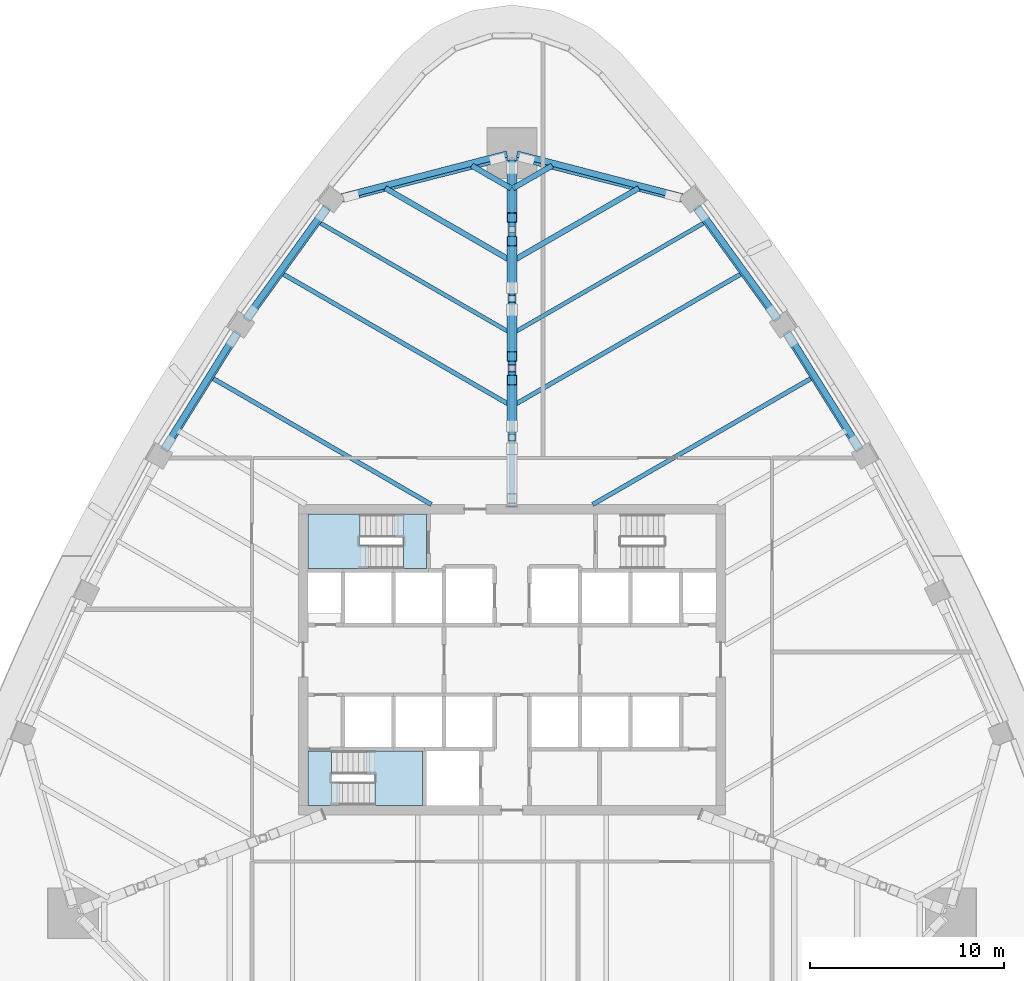
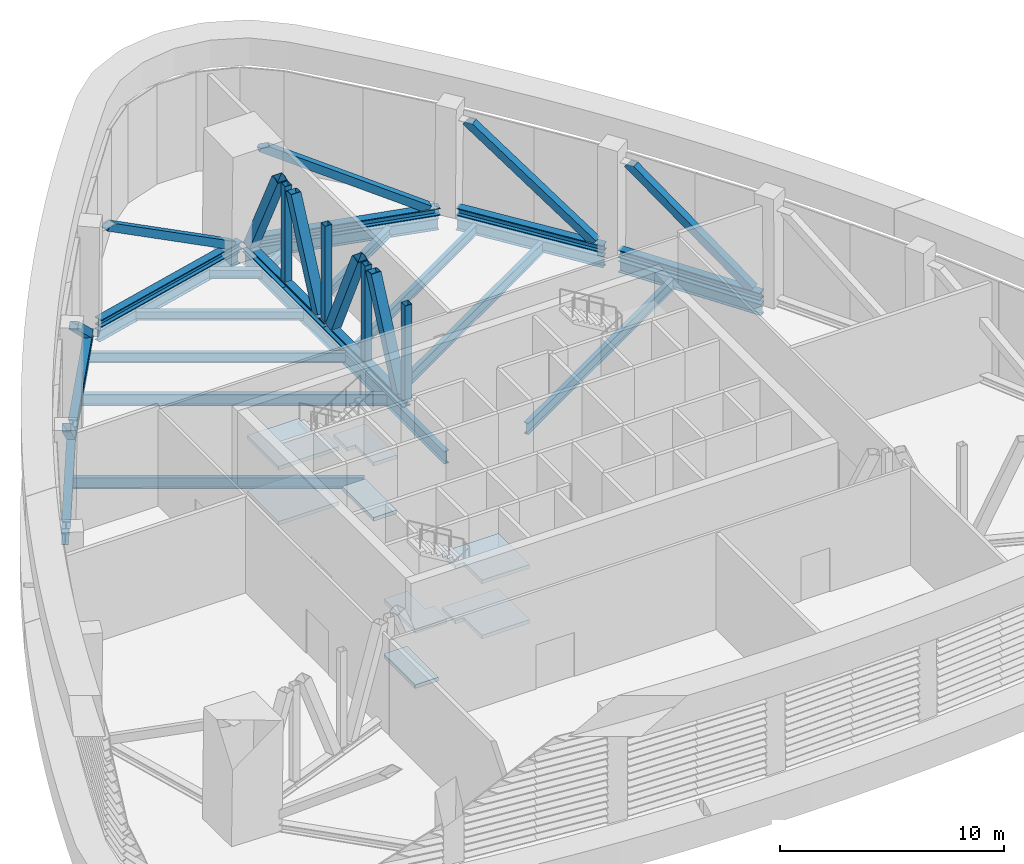
# One storey, part 4 of 18: 27 beams, 14 members, 8 slabs, 2 elements without a shape of their own.
"""IFC4 building model written with IfcOpenShell, lengths in metres."""

from ifc_helpers import new_model, si_unit, direction, frame, origin, origin_2d, place, context, subcontext, project, spatial, polyline, hollow_rectangle, i_section, outline, extrude, clip, halfspace, material, layer, layer_set, material_profile, profile_set, type_object, element, aggregate, save


model = new_model("IFC4")

# Units and contexts
model_context = context("Model", 3, precision=1e-05, world=origin(), true_north=direction((0.0, 1.0)))
body_context = subcontext(model_context, "Body", "Model", "MODEL_VIEW")
ifc_project = project(units=[si_unit("LENGTHUNIT", "METRE"), si_unit("AREAUNIT", "SQUARE_METRE"), si_unit("VOLUMEUNIT", "CUBIC_METRE"), si_unit("PLANEANGLEUNIT", "RADIAN"), si_unit("MASSUNIT", "GRAM", prefix="KILO")], contexts=[model_context])

# Site, building, storey
site_placement = place(None, origin())
site = spatial("IfcSite", under=ifc_project, at=site_placement, CompositionType="ELEMENT")
building_placement = place(site_placement, origin())
building = spatial("IfcBuilding", under=site, at=building_placement, Name="Sierra Prisma Convention Tower", CompositionType="ELEMENT")
storey_placement = place(building_placement, frame((0.0, 0.0, 213.800048828125)))
storey = spatial("IfcBuildingStorey", under=building, at=storey_placement, Name="L48", CompositionType="ELEMENT", Elevation=213.800048828125)

# Beams
ifc_material_1 = material(Name="Steel ASTM A992 Gr 50", Category="steel")
ifc_material_profile_1 = material_profile(ifc_material_1, i_section(OverallWidth=0.280029296875, OverallDepth=0.462890625, WebThickness=0.0107421875, FlangeThickness=0.017333984375, at=origin_2d()), Name="W460x113")
ifc_profile_set_1 = profile_set([ifc_material_profile_1], Name="Steel ASTM A992 Gr 50")
beam_type_1 = type_object("IfcBeamType", Name="Plant floor joist W460x113", PredefinedType="JOIST", material=ifc_profile_set_1)
beam_1_placement = place(storey_placement, frame((6.53369140625, 24.301513671875, -0.4814453125), z_axis=(-0.866024825454, -0.500001001696, 0.0), x_axis=(0.500001001696, -0.866024825454, 0.0)))
element("IfcBeam", 1, at=beam_1_placement, inside=storey, type_object=beam_type_1, Name="Floor joist L48 NE13", PredefinedType="JOIST", context=body_context, shape_type="SweptSolid", body=[
    extrude(i_section(OverallWidth=0.280029296875, OverallDepth=0.462890625, WebThickness=0.0107421875, FlangeThickness=0.017333984375, at=origin_2d()), origin(), (0.0, 0.0, 1.0), 7.48583984375),
])
for number, where, z_axis, x_axis, name in (
    (2, (2.072998046875, 25.458740234375, -0.4814453125), (-0.865988834727, -0.500063334118, 0.0), (0.500063334118, -0.865988834727, 0.0), "Floor joist L48 NE14"),
    (3, (-2.072998046875, 25.458740234375, -0.4814453125), (0.865988834727, -0.500063334118, 0.0), (0.500063334118, 0.865988834727, 0.0), "Floor joist L48 NW01"),
):
    element("IfcBeam", number, at=place(storey_placement, frame(where, z_axis=z_axis, x_axis=x_axis)), inside=storey, type_object=beam_type_1, Name=name, PredefinedType="JOIST", context=body_context, shape_type="SweptSolid", body=[
        extrude(i_section(OverallWidth=0.280029296875, OverallDepth=0.462890625, WebThickness=0.0107421875, FlangeThickness=0.017333984375, at=origin_2d()), origin(), (0.0, 0.0, 1.0), 2.335205078125),
    ])
beam_2_placement = place(storey_placement, frame((-6.53369140625, 24.301513671875, -0.4814453125), z_axis=(0.866024825454, -0.500001001696, 0.0), x_axis=(0.500001001696, 0.866024825454, 0.0)))
element("IfcBeam", 4, at=beam_2_placement, inside=storey, type_object=beam_type_1, Name="Floor joist L48 NW02", PredefinedType="JOIST", context=body_context, shape_type="SweptSolid", body=[
    extrude(i_section(OverallWidth=0.280029296875, OverallDepth=0.462890625, WebThickness=0.0107421875, FlangeThickness=0.017333984375, at=origin_2d()), origin(), (0.0, 0.0, 1.0), 7.48583984375),
])
ifc_material_2 = material(Name="Steel ASTM A992 Gr 50", Category="steel")
ifc_material_profile_2 = material_profile(ifc_material_2, i_section(OverallWidth=0.2119140625, OverallDepth=0.5439453125, WebThickness=0.01318359375, FlangeThickness=0.021240234375, at=origin_2d()), Name="W530x123")
ifc_profile_set_2 = profile_set([ifc_material_profile_2], Name="Steel ASTM A992 Gr 50")
beam_type_2 = type_object("IfcBeamType", Name="Plant floor joist W530x123", PredefinedType="JOIST", material=ifc_profile_set_2)
for number, where, z_axis, x_axis, name in (
    (5, (9.980224609375, 22.55859375, -0.52197265625), (-0.866029209911, -0.499993407537, 0.0), (0.499993407537, -0.866029209911, 0.0), "Floor joist L48 NE12"),
    (6, (-9.980224609375, 22.55859375, -0.52197265625), (0.866029209911, -0.499993407537, 0.0), (0.499993407537, 0.866029209911, 0.0), "Floor joist L48 NW03"),
):
    element("IfcBeam", number, at=place(storey_placement, frame(where, z_axis=z_axis, x_axis=x_axis)), inside=storey, type_object=beam_type_2, Name=name, PredefinedType="JOIST", context=body_context, shape_type="SweptSolid", body=[
        extrude(i_section(OverallWidth=0.2119140625, OverallDepth=0.5439453125, WebThickness=0.01318359375, FlangeThickness=0.021240234375, at=origin_2d()), origin(), (0.0, 0.0, 1.0), 11.465576171875),
    ])
ifc_material_3 = material(Name="Steel ASTM A992 Gr 50", Category="steel")
ifc_material_profile_3 = material_profile(ifc_material_3, i_section(OverallWidth=0.22900390625, OverallDepth=0.612060546875, WebThickness=0.011962890625, FlangeThickness=0.01953125, at=origin_2d()), Name="W610x125")
ifc_profile_set_3 = profile_set([ifc_material_profile_3], Name="Steel ASTM A992 Gr 50")
beam_type_3 = type_object("IfcBeamType", Name="Plant floor joist W610x125", PredefinedType="JOIST", material=ifc_profile_set_3)
beam_3_placement = place(storey_placement, frame((15.50439453125, 14.55029296875, -0.55615234375), z_axis=(-0.866025761746, -0.499999379993, 0.0), x_axis=(0.499999379993, -0.866025761746, 0.0)))
element("IfcBeam", 7, at=beam_3_placement, inside=storey, type_object=beam_type_3, Name="Floor joist L48 NE09", PredefinedType="JOIST", context=body_context, shape_type="SweptSolid", body=[
    extrude(i_section(OverallWidth=0.22900390625, OverallDepth=0.612060546875, WebThickness=0.011962890625, FlangeThickness=0.01953125, at=origin_2d()), origin(), (0.0, 0.0, 1.0), 13.1005859375),
])
for number, where, z_axis, x_axis, name in (
    (8, (11.883056640625, 19.9248046875, -0.55615234375), (-0.866019838897, -0.500009638544, 0.0), (0.500009638544, -0.866019838897, 0.0), "Floor joist L48 NE11"),
    (9, (-11.883056640625, 19.9248046875, -0.55615234375), (0.866019838897, -0.500009638544, 0.0), (0.500009638544, 0.866019838897, 0.0), "Floor joist L48 NW04"),
):
    element("IfcBeam", number, at=place(storey_placement, frame(where, z_axis=z_axis, x_axis=x_axis)), inside=storey, type_object=beam_type_3, Name=name, PredefinedType="JOIST", context=body_context, shape_type="SweptSolid", body=[
        extrude(i_section(OverallWidth=0.22900390625, OverallDepth=0.612060546875, WebThickness=0.011962890625, FlangeThickness=0.01953125, at=origin_2d()), origin(), (0.0, 0.0, 1.0), 13.662841796875),
    ])
beam_4_placement = place(storey_placement, frame((-15.50439453125, 14.55029296875, -0.55615234375), z_axis=(0.866025761746, -0.499999379993, 0.0), x_axis=(0.499999379993, 0.866025761746, 0.0)))
element("IfcBeam", 10, at=beam_4_placement, inside=storey, type_object=beam_type_3, Name="Floor joist L48 NW06", PredefinedType="JOIST", context=body_context, shape_type="SweptSolid", body=[
    extrude(i_section(OverallWidth=0.22900390625, OverallDepth=0.612060546875, WebThickness=0.011962890625, FlangeThickness=0.01953125, at=origin_2d()), origin(), (0.0, 0.0, 1.0), 13.1005859375),
])
ifc_material_4 = material(Name="Steel ASTM A992 Gr 50", Category="steel")
ifc_material_profile_4 = material_profile(ifc_material_4, i_section(OverallWidth=0.25390625, OverallDepth=0.68408203125, WebThickness=0.012451171875, FlangeThickness=0.018798828125, at=origin_2d()), Name="W690x140")
ifc_profile_set_4 = profile_set([ifc_material_profile_4], Name="Steel ASTM A992 Gr 50")
beam_type_4 = type_object("IfcBeamType", Name="Radial girder W690x140", PredefinedType="BEAM", material=ifc_profile_set_4)
beam_5_placement = place(storey_placement, frame((0.0, 25.8681640625, -0.592041015625), z_axis=(0.0, -1.0, 0.0), x_axis=(1.0, 0.0, 0.0)))
element("IfcBeam", 11, at=beam_5_placement, inside=storey, type_object=beam_type_4, Name="Radial girder L48 N", PredefinedType="BEAM", context=body_context, shape_type="SweptSolid", body=[
    extrude(i_section(OverallWidth=0.25390625, OverallDepth=0.68408203125, WebThickness=0.012451171875, FlangeThickness=0.018798828125, at=origin_2d()), origin(), (0.0, 0.0, 1.0), 17.98828125),
])
ifc_material_5 = material(Name="Steel ASTM A992 Gr 50", Category="steel")
ifc_material_profile_5 = material_profile(ifc_material_5, i_section(OverallWidth=0.324951171875, OverallDepth=0.615966796875, WebThickness=0.013916015625, FlangeThickness=0.021484375, at=origin_2d()), Name="W610x174")
ifc_profile_set_5 = profile_set([ifc_material_profile_5], Name="Steel ASTM A992 Gr 50")
beam_type_5 = type_object("IfcBeamType", Name="Spandrel beam W610x174", PredefinedType="BEAM", material=ifc_profile_set_5)
for number, where, z_axis, x_axis, name in (
    (12, (17.968017578125, 10.812744140625, -0.55810546875), (-0.529146875122, 0.848530249637, 0.0), (-0.848530249637, -0.529146875122, 0.0), "Spandrel L48-10"),
    (13, (13.726806640625, 17.564697265625, -0.55810546875), (-0.585564691879, 0.810625679105, 0.0), (-0.810625679105, -0.585564691879, 0.0), "Spandrel L48-11"),
):
    element("IfcBeam", number, at=place(storey_placement, frame(where, z_axis=z_axis, x_axis=x_axis)), inside=storey, type_object=beam_type_5, Name=name, PredefinedType="BEAM", context=body_context, shape_type="SweptSolid", body=[
        extrude(i_section(OverallWidth=0.324951171875, OverallDepth=0.615966796875, WebThickness=0.013916015625, FlangeThickness=0.021484375, at=origin_2d()), origin(), (0.0, 0.0, 1.0), 7.2138671875),
    ])
for number, where, z_axis, x_axis, name in (
    (14, (8.78466796875, 23.84912109375, -0.55810546875), (-0.96796022244, 0.251103579771, 0.0), (-0.251103579771, -0.96796022244, 0.0), "Spandrel L48-12"),
    (15, (-0.260009765625, 26.060546875, -0.55810546875), (-0.96796022244, -0.251103579771, 0.0), (0.251103579771, -0.96796022244, 0.0), "Spandrel L48-13"),
):
    element("IfcBeam", number, at=place(storey_placement, frame(where, z_axis=z_axis, x_axis=x_axis)), inside=storey, type_object=beam_type_5, Name=name, PredefinedType="BEAM", context=body_context, shape_type="SweptSolid", body=[
        extrude(i_section(OverallWidth=0.324951171875, OverallDepth=0.615966796875, WebThickness=0.013916015625, FlangeThickness=0.021484375, at=origin_2d()), origin(), (0.0, 0.0, 1.0), 8.806884765625),
    ])
for number, where, z_axis, x_axis, name in (
    (16, (-9.502685546875, 23.412353515625, -0.55810546875), (-0.585564691879, -0.810625679105, 0.0), (0.810625679105, -0.585564691879, 0.0), "Spandrel L48-14"),
    (17, (-14.15087890625, 16.933837890625, -0.55810546875), (-0.529146875122, -0.848530249637, 0.0), (0.848530249637, -0.529146875122, 0.0), "Spandrel L48-15"),
):
    element("IfcBeam", number, at=place(storey_placement, frame(where, z_axis=z_axis, x_axis=x_axis)), inside=storey, type_object=beam_type_5, Name=name, PredefinedType="BEAM", context=body_context, shape_type="SweptSolid", body=[
        extrude(i_section(OverallWidth=0.324951171875, OverallDepth=0.615966796875, WebThickness=0.013916015625, FlangeThickness=0.021484375, at=origin_2d()), origin(), (0.0, 0.0, 1.0), 7.2138671875),
    ])
ifc_material_6 = material(Name="Steel ASTM A992 Gr 50", Category="steel")
ifc_material_profile_6 = material_profile(ifc_material_6, i_section(OverallWidth=0.404052734375, OverallDepth=0.406982421875, WebThickness=0.027099609375, FlangeThickness=0.04443359375, at=origin_2d()), Name="W360x347")
ifc_profile_set_6 = profile_set([ifc_material_profile_6], Name="Steel ASTM A992 Gr 50")
beam_type_6 = type_object("IfcBeamType", Name="Truss chord W360x347", PredefinedType="BEAM", material=ifc_profile_set_6)
beam_6_placement = place(storey_placement, frame((17.928466796875, 10.789794921875, 0.203369140625), z_axis=(-0.529188583051, 0.848504238981, 0.0), x_axis=(-0.848504238981, -0.529188583051, 0.0)))
element("IfcBeam", 18, at=beam_6_placement, inside=storey, type_object=beam_type_6, Name="Belt truss L48-10 bottom chord 1", PredefinedType="BEAM", context=body_context, shape_type="SweptSolid", body=[
    extrude(i_section(OverallWidth=0.404052734375, OverallDepth=0.406982421875, WebThickness=0.027099609375, FlangeThickness=0.04443359375, at=origin_2d()), origin(), (0.0, 0.0, 1.0), 7.1787109375),
])
beam_7_placement = place(storey_placement, frame((13.705810546875, 17.511962890625, 0.203369140625), z_axis=(-0.585653210857, 0.810561729057, 0.0), x_axis=(-0.810561729057, -0.585653210857, 0.0)))
element("IfcBeam", 19, at=beam_7_placement, inside=storey, type_object=beam_type_6, Name="Belt truss L48-11 bottom chord 1", PredefinedType="BEAM", context=body_context, shape_type="SweptSolid", body=[
    extrude(i_section(OverallWidth=0.404052734375, OverallDepth=0.406982421875, WebThickness=0.027099609375, FlangeThickness=0.04443359375, at=origin_2d()), origin(), (0.0, 0.0, 1.0), 7.178466796875),
])
for number, where, z_axis, x_axis, name in (
    (20, (8.781005859375, 23.765380859375, 0.203369140625), (-0.969137954015, 0.246519017699, 0.0), (-0.246519017699, -0.969137954015, 0.0), "Belt truss L48-12 bottom chord 1"),
    (21, (-0.260009765625, 25.932861328125, 0.203369140625), (-0.969137954015, -0.246519017699, 0.0), (0.246519017699, -0.969137954015, 0.0), "Belt truss L48-13 bottom chord 1"),
):
    element("IfcBeam", number, at=place(storey_placement, frame(where, z_axis=z_axis, x_axis=x_axis)), inside=storey, type_object=beam_type_6, Name=name, PredefinedType="BEAM", context=body_context, shape_type="SweptSolid", body=[
        extrude(i_section(OverallWidth=0.404052734375, OverallDepth=0.406982421875, WebThickness=0.027099609375, FlangeThickness=0.04443359375, at=origin_2d()), origin(), (0.0, 0.0, 1.0), 8.792236328125),
    ])
beam_8_placement = place(storey_placement, frame((-9.501708984375, 23.33056640625, 0.203369140625), z_axis=(-0.585653210857, -0.810561729057, 0.0), x_axis=(0.810561729057, -0.585653210857, 0.0)))
element("IfcBeam", 22, at=beam_8_placement, inside=storey, type_object=beam_type_6, Name="Belt truss L48-14 bottom chord 1", PredefinedType="BEAM", context=body_context, shape_type="SweptSolid", body=[
    extrude(i_section(OverallWidth=0.404052734375, OverallDepth=0.406982421875, WebThickness=0.027099609375, FlangeThickness=0.04443359375, at=origin_2d()), origin(), (0.0, 0.0, 1.0), 7.178466796875),
])
beam_9_placement = place(storey_placement, frame((-14.129638671875, 16.880859375, 0.203369140625), z_axis=(-0.529188583051, -0.848504238981, 0.0), x_axis=(0.848504238981, -0.529188583051, 0.0)))
element("IfcBeam", 23, at=beam_9_placement, inside=storey, type_object=beam_type_6, Name="Belt truss L48-15 bottom chord 1", PredefinedType="BEAM", context=body_context, shape_type="SweptSolid", body=[
    extrude(i_section(OverallWidth=0.404052734375, OverallDepth=0.406982421875, WebThickness=0.027099609375, FlangeThickness=0.04443359375, at=origin_2d()), origin(), (0.0, 0.0, 1.0), 7.1787109375),
])
for number, where, z_axis, x_axis, name in (
    (24, (0.0, 25.739013671875, 0.203369140625), (0.0, -1.0, 0.0), (1.0, 0.0, 0.0), "Outrigger truss L48 N bottom chord 1"),
    (25, (0.0, 22.167236328125, 0.203369140625), (0.0, -1.0, 0.0), (1.0, 0.0, 0.0), "Outrigger truss L48 N bottom chord 2"),
    (26, (0.0, 18.595458984375, 0.203369140625), (0.0, -1.0, 0.0), (1.0, 0.0, 0.0), "Outrigger truss L48 N bottom chord 3"),
    (27, (0.0, 15.023681640625, 0.203369140625), (0.0, -1.0, 0.0), (1.0, 0.0, 0.0), "Outrigger truss L48 N bottom chord 4"),
):
    element("IfcBeam", number, at=place(storey_placement, frame(where, z_axis=z_axis, x_axis=x_axis)), inside=storey, type_object=beam_type_6, Name=name, PredefinedType="BEAM", context=body_context, shape_type="SweptSolid", body=[
        extrude(i_section(OverallWidth=0.404052734375, OverallDepth=0.406982421875, WebThickness=0.027099609375, FlangeThickness=0.04443359375, at=origin_2d()), origin(), (0.0, 0.0, 1.0), 3.57177734375),
    ])

# Members
ifc_material_7 = material(Name="Steel ASTM A500 Gr C", Category="steel")
ifc_material_profile_7 = material_profile(ifc_material_7, hollow_rectangle(XDim=0.406005859375, YDim=0.406005859375, WallThickness=0.01904296875, at=origin_2d()), Name="Truss diagonal HSS 406x406x19")
ifc_profile_set_7 = profile_set([ifc_material_profile_7], Name="Steel ASTM A500 Gr C")
member_type_1 = type_object("IfcMemberType", Name="Truss diagonal HSS 406x406x19", PredefinedType="BRACE", material=ifc_profile_set_7)
member_1_placement = place(storey_placement, frame((17.688720703125, 11.174072265625, 0.406982421875), z_axis=(-0.41937657273, 0.672464597094, 0.609848059683), x_axis=(-0.848516116086, -0.529169538751, 0.0)))
element("IfcMember", 28, at=member_1_placement, inside=storey, type_object=member_type_1, Name="Belt truss L48-10 diagonal 1", PredefinedType="BRACE", context=body_context, shape_type="SweptSolid", body=[
    clip(clip(extrude(hollow_rectangle(XDim=0.406005859375, YDim=0.406005859375, WallThickness=0.01904296875, at=origin_2d()), origin(), (0.0, 0.0, 1.0), 7.9150390625), halfspace(frame((0.0, 0.01171875, 0.009033203125), z_axis=(0.0, 0.792518355687, 0.609848059683), x_axis=(1.0, 0.0, 0.0)), True)), halfspace(frame((0.0, -0.01171875, 7.90576171875), z_axis=(0.0, -0.792518355687, -0.609848059683), x_axis=(1.0, 0.0, 0.0)), True)),
])
member_2_placement = place(storey_placement, frame((13.440673828125, 17.87890625, 0.406982421875), z_axis=(-0.464157790085, 0.642381056374, 0.609839425025), x_axis=(-0.81054989602, -0.58566958779, 0.0)))
element("IfcMember", 29, at=member_2_placement, inside=storey, type_object=member_type_1, Name="Belt truss L48-11 diagonal 1", PredefinedType="BRACE", context=body_context, shape_type="SweptSolid", body=[
    clip(clip(extrude(hollow_rectangle(XDim=0.406005859375, YDim=0.406005859375, WallThickness=0.01904296875, at=origin_2d()), origin(), (0.0, 0.0, 1.0), 7.9150390625), halfspace(frame((0.0, 0.01171875, 0.009033203125), z_axis=(0.0, 0.792525657239, 0.60983857095), x_axis=(1.0, 0.0, 0.0)), True)), halfspace(frame((0.0, -0.01171875, 7.906005859375), z_axis=(0.0, -0.792525000038, -0.609839425025), x_axis=(1.0, 0.0, 0.0)), True)),
])
for number, where, z_axis, x_axis, name in (
    (30, (8.29150390625, 23.889892578125, 0.406982421875), (-0.823579877006, 0.209494065568, 0.527094320481), (-0.246519642429, -0.969137795103, 0.0), "Belt truss L48-12 diagonal 1"),
    (31, (-0.74951171875, 25.808349609375, 0.406982421875), (-0.823579877006, -0.209494065568, 0.527094320481), (0.246519642429, -0.969137795103, 0.0), "Belt truss L48-13 diagonal 1"),
):
    element("IfcMember", number, at=place(storey_placement, frame(where, z_axis=z_axis, x_axis=x_axis)), inside=storey, type_object=member_type_1, Name=name, PredefinedType="BRACE", context=body_context, shape_type="SweptSolid", body=[
        clip(clip(extrude(hollow_rectangle(XDim=0.406005859375, YDim=0.406005859375, WallThickness=0.01904296875, at=origin_2d()), origin(), (0.0, 0.0, 1.0), 9.157470703125), halfspace(frame((0.0, 0.0126953125, 0.0078125), z_axis=(0.0, 0.849806788227, 0.527094320481), x_axis=(1.0, 0.0, 0.0)), True)), halfspace(frame((0.0, -0.0126953125, 9.149658203125), z_axis=(0.0, -0.849806788227, -0.527094320481), x_axis=(1.0, 0.0, 0.0)), True)),
    ])
member_3_placement = place(storey_placement, frame((-9.766845703125, 22.96337890625, 0.406982421875), z_axis=(-0.464157790085, -0.642381056374, 0.609839425025), x_axis=(0.81054989602, -0.58566958779, 0.0)))
element("IfcMember", 32, at=member_3_placement, inside=storey, type_object=member_type_1, Name="Belt truss L48-14 diagonal 1", PredefinedType="BRACE", context=body_context, shape_type="SweptSolid", body=[
    clip(clip(extrude(hollow_rectangle(XDim=0.406005859375, YDim=0.406005859375, WallThickness=0.01904296875, at=origin_2d()), origin(), (0.0, 0.0, 1.0), 7.9150390625), halfspace(frame((0.0, 0.01171875, 0.009033203125), z_axis=(0.0, 0.792525657239, 0.60983857095), x_axis=(1.0, 0.0, 0.0)), True)), halfspace(frame((0.0, -0.01171875, 7.906005859375), z_axis=(0.0, -0.792525000038, -0.609839425025), x_axis=(1.0, 0.0, 0.0)), True)),
])
member_4_placement = place(storey_placement, frame((-14.369384765625, 16.49658203125, 0.406982421875), z_axis=(-0.41937657273, -0.672464597094, 0.609848059683), x_axis=(0.848516116086, -0.529169538751, 0.0)))
element("IfcMember", 33, at=member_4_placement, inside=storey, type_object=member_type_1, Name="Belt truss L48-15 diagonal 1", PredefinedType="BRACE", context=body_context, shape_type="SweptSolid", body=[
    clip(clip(extrude(hollow_rectangle(XDim=0.406005859375, YDim=0.406005859375, WallThickness=0.01904296875, at=origin_2d()), origin(), (0.0, 0.0, 1.0), 7.9150390625), halfspace(frame((0.0, 0.01171875, 0.009033203125), z_axis=(0.0, 0.792518355687, 0.609848059683), x_axis=(1.0, 0.0, 0.0)), True)), halfspace(frame((0.0, -0.01171875, 7.90576171875), z_axis=(0.0, -0.792518355687, -0.609848059683), x_axis=(1.0, 0.0, 0.0)), True)),
])
ifc_material_8 = material(Name="Steel ASTM A572 Gr 50", Category="steel")
ifc_material_profile_8 = material_profile(ifc_material_8, hollow_rectangle(XDim=0.508056640625, YDim=0.508056640625, WallThickness=0.025390625, at=origin_2d()), Name="Truss diagonal HSS 508x508x25")
ifc_profile_set_8 = profile_set([ifc_material_profile_8], Name="Steel ASTM A572 Gr 50")
member_type_2 = type_object("IfcMemberType", Name="Truss diagonal HSS 508x508x25", PredefinedType="BRACE", material=ifc_profile_set_8)
member_5_placement = place(storey_placement, frame((0.0, 25.335693359375, 0.406982421875), z_axis=(0.0, -0.443194119954, 0.896425664536), x_axis=(1.0, 0.0, 0.0)))
element("IfcMember", 34, at=member_5_placement, inside=storey, type_object=member_type_2, Name="Outrigger truss L48 N diagonal 1", PredefinedType="BRACE", context=body_context, shape_type="SweptSolid", body=[
    clip(clip(extrude(hollow_rectangle(XDim=0.508056640625, YDim=0.508056640625, WallThickness=0.025390625, at=origin_2d()), origin(), (0.0, 0.0, 1.0), 5.837646484375), halfspace(frame((0.0, 0.006591796875, 0.013427734375), z_axis=(0.0, 0.443194119954, 0.896425664536), x_axis=(1.0, 0.0, 0.0)), True)), halfspace(frame((0.0, 0.0, 5.837646484375), z_axis=(0.0, -0.443194119954, -0.896425664536), x_axis=(1.0, 0.0, 0.0)), True)),
])
member_6_placement = place(storey_placement, frame((0.0, 21.58935546875, 5.639892578125), z_axis=(0.0, -0.419211278041, -0.907888707036), x_axis=(1.0, 0.0, 0.0)))
element("IfcMember", 35, at=member_6_placement, inside=storey, type_object=member_type_2, Name="Outrigger truss L48 N diagonal 2", PredefinedType="BRACE", context=body_context, shape_type="SweptSolid", body=[
    clip(clip(extrude(hollow_rectangle(XDim=0.508056640625, YDim=0.508056640625, WallThickness=0.025390625, at=origin_2d()), origin(), (0.0, 0.0, 1.0), 5.763916015625), halfspace(frame((0.0, 0.0, 0.0), z_axis=(0.0, -0.419211278041, 0.907888707036), x_axis=(1.0, 0.0, 0.0)), True)), halfspace(frame((0.0, 0.00634765625, 5.750244140625), z_axis=(0.0, 0.419211278041, -0.907888707036), x_axis=(1.0, 0.0, 0.0)), True)),
])
member_7_placement = place(storey_placement, frame((0.0, 18.017578125, 0.406982421875), z_axis=(0.0, -0.419211278041, 0.907888707036), x_axis=(1.0, 0.0, 0.0)))
element("IfcMember", 36, at=member_7_placement, inside=storey, type_object=member_type_2, Name="Outrigger truss L48 N diagonal 3", PredefinedType="BRACE", context=body_context, shape_type="SweptSolid", body=[
    clip(clip(extrude(hollow_rectangle(XDim=0.508056640625, YDim=0.508056640625, WallThickness=0.025390625, at=origin_2d()), origin(), (0.0, 0.0, 1.0), 5.763916015625), halfspace(frame((0.0, 0.00634765625, 0.013427734375), z_axis=(0.0, 0.419211278041, 0.907888707036), x_axis=(1.0, 0.0, 0.0)), True)), halfspace(frame((0.0, 0.0, 5.763916015625), z_axis=(0.0, -0.419211278041, -0.907888707036), x_axis=(1.0, 0.0, 0.0)), True)),
])
member_8_placement = place(storey_placement, frame((0.0, 14.44580078125, 5.639892578125), z_axis=(0.0, -0.419211278041, -0.907888707036), x_axis=(1.0, 0.0, 0.0)))
element("IfcMember", 37, at=member_8_placement, inside=storey, type_object=member_type_2, Name="Outrigger truss L48 N diagonal 4", PredefinedType="BRACE", context=body_context, shape_type="SweptSolid", body=[
    clip(clip(extrude(hollow_rectangle(XDim=0.508056640625, YDim=0.508056640625, WallThickness=0.025390625, at=origin_2d()), origin(), (0.0, 0.0, 1.0), 5.763916015625), halfspace(frame((0.0, 0.0, 0.0), z_axis=(0.0, -0.419211278041, 0.907888707036), x_axis=(1.0, 0.0, 0.0)), True)), halfspace(frame((0.0, 0.00634765625, 5.750244140625), z_axis=(0.0, 0.419211278041, -0.907888707036), x_axis=(1.0, 0.0, 0.0)), True)),
])
ifc_material_9 = material(Name="Steel ASTM A500 Gr C", Category="steel")
ifc_material_profile_9 = material_profile(ifc_material_9, hollow_rectangle(XDim=0.35595703125, YDim=0.35595703125, WallThickness=0.015869140625, at=origin_2d()), Name="Truss post HSS 356x356x16")
ifc_profile_set_9 = profile_set([ifc_material_profile_9], Name="Steel ASTM A500 Gr C")
member_type_3 = type_object("IfcMemberType", Name="Truss post HSS 356x356x16", PredefinedType="POST", material=ifc_profile_set_9)
for number, where, z_axis, x_axis, name in (
    (38, (0.0, 22.167236328125, 0.421875), (0.0, 0.0, 1.0), (1.0, 0.0, 0.0), "Outrigger truss L48 N post 1"),
    (39, (0.0, 18.595458984375, 0.421875), (0.0, 0.0, 1.0), (1.0, 0.0, 0.0), "Outrigger truss L48 N post 2"),
    (40, (0.0, 15.023681640625, 0.421875), (0.0, 0.0, 1.0), (1.0, 0.0, 0.0), "Outrigger truss L48 N post 3"),
    (41, (0.0, 11.451904296875, 0.421875), (0.0, 0.0, 1.0), (1.0, 0.0, 0.0), "Outrigger truss L48 N post 4"),
):
    element("IfcMember", number, at=place(storey_placement, frame(where, z_axis=z_axis, x_axis=x_axis)), inside=storey, type_object=member_type_3, Name=name, PredefinedType="POST", context=body_context, shape_type="SweptSolid", body=[
        extrude(hollow_rectangle(XDim=0.35595703125, YDim=0.35595703125, WallThickness=0.015869140625, at=origin_2d()), origin(), (0.0, 0.0, 1.0), 5.218017578125),
    ])

# Stair, slabs
ifc_material_10 = material(Name="Concrete C30/37", Category="concrete")
stair_type = type_object("IfcStairType", Name="Stair dog-leg 1200 RC", PredefinedType="HALF_TURN_STAIR", material=ifc_material_10)
stair_1_placement = place(storey_placement, origin())
stair_1 = element("IfcStair", 42, at=stair_1_placement, inside=storey, type_object=stair_type, Name="L48 S1", PredefinedType="HALF_TURN_STAIR")
ifc_material_11 = material(Name="Concrete C35/45", Category="concrete")
ifc_layer = layer(ifc_material_11, 0.199951171875)
ifc_layer_set = layer_set([ifc_layer], Name="Stair landing slab")
slab_type = type_object("IfcSlabType", Name="Stair landing slab", PredefinedType="LANDING", material=ifc_layer_set)
slab_1_placement = place(storey_placement, frame((0.0, 0.0, 1.300048828125)))
slab_1 = element("IfcSlab", 43, at=slab_1_placement, type_object=slab_type, Name="S1 landing 1", PredefinedType="LANDING", context=body_context, shape_type="SweptSolid", body=[
    extrude(outline(polyline([(-4.60009765625, -4.699951171875), (-4.60009765625, -7.5), (-7.06201171875, -7.5), (-7.06201171875, -5.89990234375), (-7.510009765625, -5.89990234375), (-7.510009765625, -4.699951171875), (-4.60009765625, -4.699951171875)])), origin(), (0.0, 0.0, 1.0), 0.199951171875),
])
slab_2_placement = place(storey_placement, frame((0.0, 0.0, 2.800048828125)))
slab_2 = element("IfcSlab", 44, at=slab_2_placement, type_object=slab_type, Name="S1 landing 2", PredefinedType="LANDING", context=body_context, shape_type="SweptSolid", body=[
    extrude(outline(polyline([(-10.5, -7.5), (-10.5, -4.699951171875), (-9.298095703125, -4.699951171875), (-9.298095703125, -6.300048828125), (-8.85009765625, -6.300048828125), (-8.85009765625, -7.5), (-10.5, -7.5)])), origin(), (0.0, 0.0, 1.0), 0.199951171875),
])
slab_3_placement = place(storey_placement, frame((0.0, 0.0, 4.300048828125)))
slab_3 = element("IfcSlab", 45, at=slab_3_placement, type_object=slab_type, Name="S1 landing 3", PredefinedType="LANDING", context=body_context, shape_type="SweptSolid", body=[
    extrude(outline(polyline([(-4.60009765625, -4.699951171875), (-4.60009765625, -7.5), (-7.06201171875, -7.5), (-7.06201171875, -5.89990234375), (-7.510009765625, -5.89990234375), (-7.510009765625, -4.699951171875), (-4.60009765625, -4.699951171875)])), origin(), (0.0, 0.0, 1.0), 0.199951171875),
])
aggregate(stair_1, [slab_1, slab_2, slab_3])

# Slab
slab_4_placement = place(storey_placement, frame((0.0, 0.0, -0.199951171875)))
element("IfcSlab", 46, at=slab_4_placement, inside=storey, type_object=slab_type, Name="S1 floor landing L48", PredefinedType="LANDING", context=body_context, shape_type="SweptSolid", body=[
    extrude(outline(polyline([(-10.5, -7.5), (-9.298095703125, -7.5), (-9.298095703125, -4.699951171875), (-10.5, -4.699951171875), (-10.5, -7.5)])), origin(), (0.0, 0.0, 1.0), 0.199951171875),
])

# Stair, slabs
stair_2_placement = place(storey_placement, origin())
stair_2 = element("IfcStair", 47, at=stair_2_placement, inside=storey, type_object=stair_type, Name="L48 S3", PredefinedType="HALF_TURN_STAIR")
slab_5_placement = place(storey_placement, frame((0.0, 0.0, 1.300048828125)))
slab_5 = element("IfcSlab", 48, at=slab_5_placement, type_object=slab_type, Name="S3 landing 1", PredefinedType="LANDING", context=body_context, shape_type="SweptSolid", body=[
    extrude(outline(polyline([(-7.389892578125, 5.89990234375), (-7.389892578125, 4.699951171875), (-10.5, 4.699951171875), (-10.5, 7.5), (-7.837890625, 7.5), (-7.837890625, 5.89990234375), (-7.389892578125, 5.89990234375)])), origin(), (0.0, 0.0, 1.0), 0.199951171875),
])
slab_6_placement = place(storey_placement, frame((0.0, 0.0, 2.800048828125)))
slab_6 = element("IfcSlab", 49, at=slab_6_placement, type_object=slab_type, Name="S3 landing 2", PredefinedType="LANDING", context=body_context, shape_type="SweptSolid", body=[
    extrude(outline(polyline([(-4.39990234375, 7.5), (-4.39990234375, 4.699951171875), (-5.60205078125, 4.699951171875), (-5.60205078125, 6.300048828125), (-6.050048828125, 6.300048828125), (-6.050048828125, 7.5), (-4.39990234375, 7.5)])), origin(), (0.0, 0.0, 1.0), 0.199951171875),
])
slab_7_placement = place(storey_placement, frame((0.0, 0.0, 4.300048828125)))
slab_7 = element("IfcSlab", 50, at=slab_7_placement, type_object=slab_type, Name="S3 landing 3", PredefinedType="LANDING", context=body_context, shape_type="SweptSolid", body=[
    extrude(outline(polyline([(-7.389892578125, 5.89990234375), (-7.389892578125, 4.699951171875), (-10.5, 4.699951171875), (-10.5, 7.5), (-7.837890625, 7.5), (-7.837890625, 5.89990234375), (-7.389892578125, 5.89990234375)])), origin(), (0.0, 0.0, 1.0), 0.199951171875),
])
aggregate(stair_2, [slab_5, slab_6, slab_7])

# Slab
slab_8_placement = place(storey_placement, frame((0.0, 0.0, -0.199951171875)))
element("IfcSlab", 51, at=slab_8_placement, inside=storey, type_object=slab_type, Name="S3 floor landing L48", PredefinedType="LANDING", context=body_context, shape_type="SweptSolid", body=[
    extrude(outline(polyline([(-4.39990234375, 7.5), (-5.60205078125, 7.5), (-5.60205078125, 4.699951171875), (-4.39990234375, 4.699951171875), (-4.39990234375, 7.5)])), origin(), (0.0, 0.0, 1.0), 0.199951171875),
])

save(model, "model.ifc")
